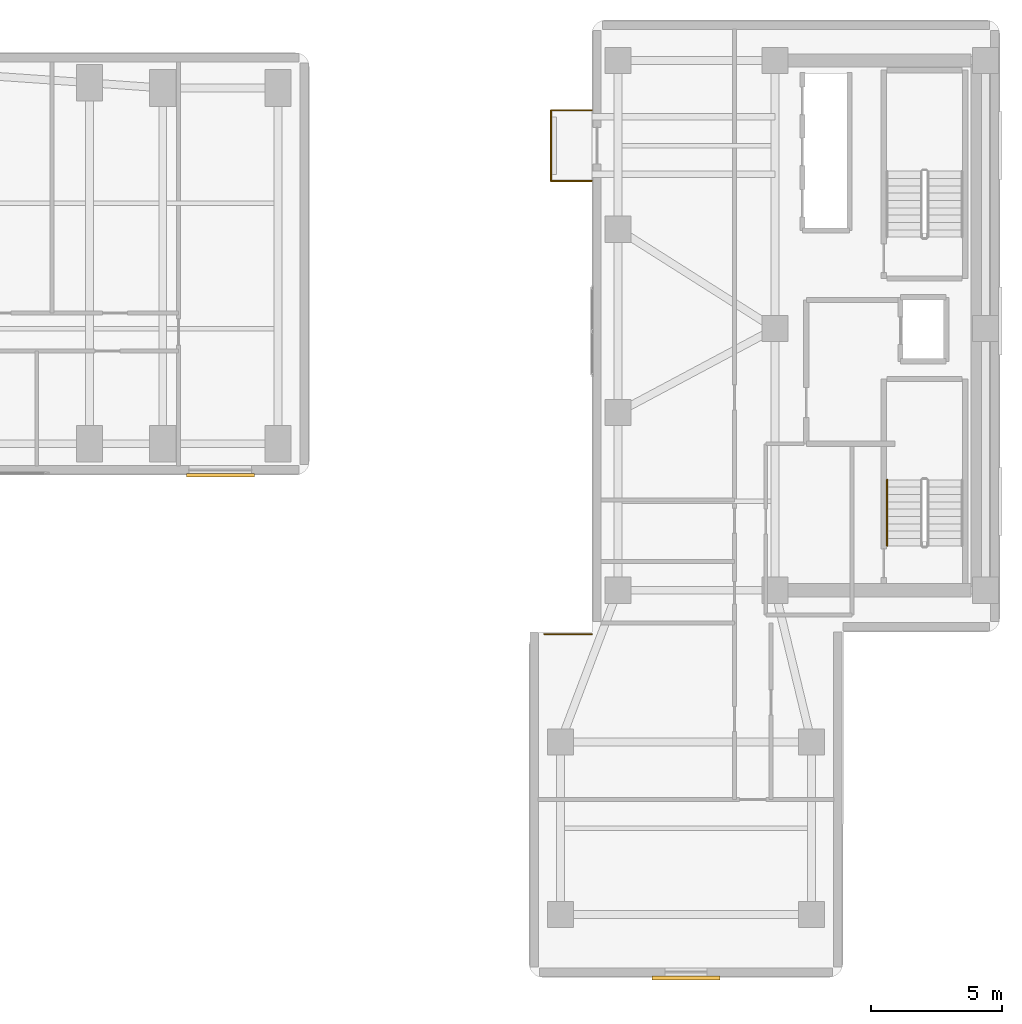
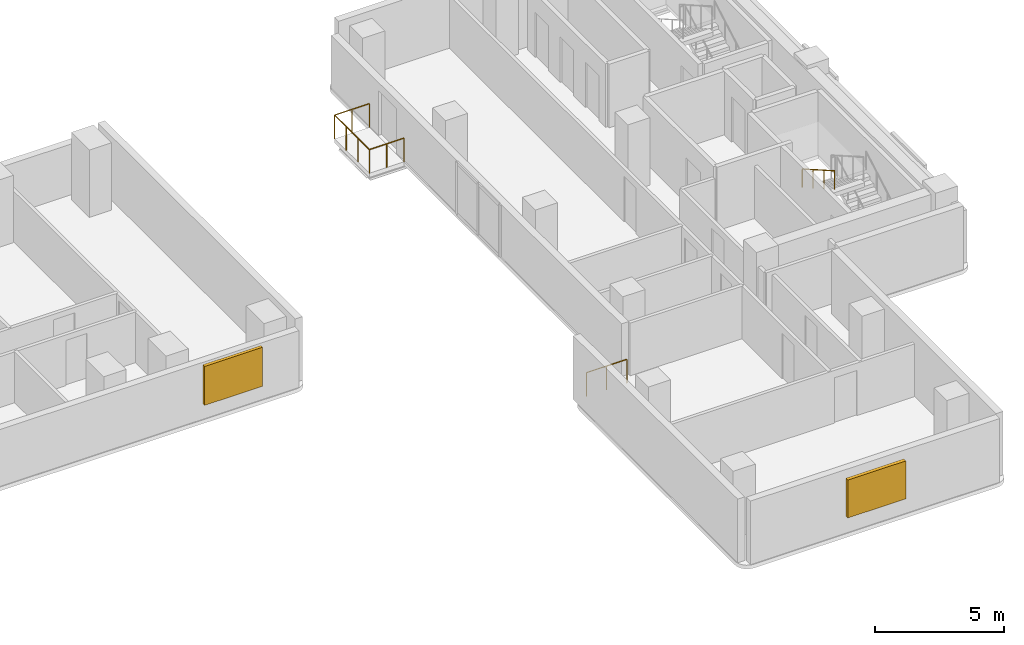
# One storey, part 16 of 17: 5 railings, 2 shading devices.
"""IFC4 building model written with IfcOpenShell, lengths in metres."""

import ifcopenshell
import ifcopenshell.guid

model = None  # the IFC model being written
_history = None  # IfcOwnerHistory: only IFC2X3 demands one
_inside = {}  # id of a spatial element -> (the spatial element, [elements in it])
_under = {}  # id of a project, library or spatial element -> (it, [spatial elements below it])
_declared = {}  # id of a project -> (the project, [libraries it declares])
_typed = {}  # id of a type object -> (the type object, [elements of that type])
_made_of = {}  # id of a material, layer set ... -> (it, [elements and type objects made of it])


def new_model(schema):
    """Start an empty IFC model of exactly this schema.

    Asked for "IFC4X3", IfcOpenShell would pick the latest addendum, in which some entities
    have other attributes; the version numbers below select the first issue.
    IFC2X3 requires an IfcOwnerHistory on every rooted entity: one is made here for all.
    """
    global model, _history
    if schema == "IFC4X3":
        model = ifcopenshell.file(schema_version=(4, 3, 0, 0))
    else:
        model = ifcopenshell.file(schema=schema)
    _inside.clear()
    _under.clear()
    _declared.clear()
    _typed.clear()
    _made_of.clear()
    _history = None
    if model.schema == "IFC2X3":
        org = make("IfcOrganization", Name="unknown")
        user = make(
            "IfcPersonAndOrganization",
            ThePerson=make("IfcPerson", FamilyName="unknown"),
            TheOrganization=org,
        )
        app = make(
            "IfcApplication",
            ApplicationDeveloper=org,
            Version="unknown",
            ApplicationFullName="unknown",
            ApplicationIdentifier="unknown",
        )
        _history = make(
            "IfcOwnerHistory",
            OwningUser=user,
            OwningApplication=app,
            ChangeAction="ADDED",
            CreationDate=0,
        )
    return model


def make(cls, **values):
    """One entity of the class cls with the attributes given. An attribute that is None is left unset."""
    return model.create_entity(
        cls, **{name: value for name, value in values.items() if value is not None}
    )


def rooted(cls, **values):
    """An entity with a GlobalId (a new one), such as an element, a storey or a relation."""
    return make(cls, GlobalId=ifcopenshell.guid.new(), OwnerHistory=_history, **values)


def si_unit(unit_type, name, prefix=None):
    """IfcSIUnit, for example si_unit("LENGTHUNIT", "METRE", prefix="MILLI")."""
    return make("IfcSIUnit", UnitType=unit_type, Prefix=prefix, Name=name)


def assignment(units):
    """IfcUnitAssignment: the units of a project."""
    return None if units is None else make("IfcUnitAssignment", Units=units)


def point(xyz):
    """IfcCartesianPoint."""
    return None if xyz is None else make("IfcCartesianPoint", Coordinates=xyz)


def direction(xyz):
    """IfcDirection."""
    return None if xyz is None else make("IfcDirection", DirectionRatios=xyz)


def frame(location, z_axis=None, x_axis=None):
    """IfcAxis2Placement3D, a coordinate frame: its origin and axes. An axis left out is left unset."""
    return make(
        "IfcAxis2Placement3D",
        Location=point(location),
        Axis=direction(z_axis),
        RefDirection=direction(x_axis),
    )


def frame_2d(location, x_axis=None):
    """IfcAxis2Placement2D, a coordinate frame in the plane: its origin and x axis."""
    return make(
        "IfcAxis2Placement2D", Location=point(location), RefDirection=direction(x_axis)
    )


def origin():
    """The frame at (0, 0, 0) with its axes left unset."""
    return frame((0.0, 0.0, 0.0))


def origin_2d():
    """The frame at (0, 0) in the plane with its x axis left unset."""
    return frame_2d((0.0, 0.0))


def place(relative_to, where):
    """IfcLocalPlacement: puts the frame where relative to a parent placement (None: the world)."""
    return make(
        "IfcLocalPlacement", PlacementRelTo=relative_to, RelativePlacement=where
    )


def context(
    kind, dimensions, precision=None, world=None, true_north=None, identifier=None
):
    """IfcGeometricRepresentationContext, for example the 3D "Model" context."""
    return make(
        "IfcGeometricRepresentationContext",
        ContextIdentifier=identifier,
        ContextType=kind,
        CoordinateSpaceDimension=dimensions,
        Precision=precision,
        WorldCoordinateSystem=world,
        TrueNorth=true_north,
    )


def subcontext(parent, identifier, kind, view, scale=None):
    """IfcGeometricRepresentationSubContext, for example "Body" below "Model"."""
    return make(
        "IfcGeometricRepresentationSubContext",
        ContextIdentifier=identifier,
        ContextType=kind,
        ParentContext=parent,
        TargetScale=scale,
        TargetView=view,
    )


def project(units=None, contexts=None):
    """IfcProject with its units and contexts."""
    return rooted(
        "IfcProject",
        Name="project",
        RepresentationContexts=contexts,
        UnitsInContext=assignment(units),
    )


def spatial(cls, under=None, at=None, **own):
    """A site, building, storey or space (cls), placed at a placement, below another one or the project."""
    s = rooted(cls, ObjectPlacement=at, **own)
    if under is not None:
        _under.setdefault(under.id(), (under, []))[1].append(s)
    return s


def profile(cls, at=None, kind="AREA", **sizes):
    """A parametric profile (cls). Its sizes go by their IFC names, for example OverallWidth=200.0."""
    return make(cls, ProfileType=kind, Position=at, **sizes)


def rectangle(**sizes):
    """IfcRectangleProfileDef."""
    return profile("IfcRectangleProfileDef", **sizes)


def circle(**sizes):
    """IfcCircleProfileDef."""
    return profile("IfcCircleProfileDef", **sizes)


def extrude(swept, where, along, depth):
    """IfcExtrudedAreaSolid: the profile swept, set in the frame where, extruded along a direction by depth."""
    return make(
        "IfcExtrudedAreaSolid",
        SweptArea=swept,
        Position=where,
        ExtrudedDirection=direction(along),
        Depth=depth,
    )


def shape(context_of_items, identifier, shape_type, items):
    """IfcShapeRepresentation: the items that make up one representation, for example the "Body"."""
    return make(
        "IfcShapeRepresentation",
        ContextOfItems=context_of_items,
        RepresentationIdentifier=identifier,
        RepresentationType=shape_type,
        Items=items,
    )


def material(Name=None, Category=None):
    """IfcMaterial."""
    return make("IfcMaterial", Name=Name, Category=Category)


def layer(
    of_material, thickness, ventilated=None, Name=None, Category=None, Priority=None
):
    """IfcMaterialLayer: one layer of a wall or slab, of a material (None: an air gap)."""
    return make(
        "IfcMaterialLayer",
        Material=of_material,
        LayerThickness=thickness,
        IsVentilated=ventilated,
        Name=Name,
        Category=Category,
        Priority=Priority,
    )


def layer_set(layers, Name=None):
    """IfcMaterialLayerSet."""
    return make("IfcMaterialLayerSet", MaterialLayers=layers, LayerSetName=Name)


def made_of(thing, what):
    """Note that an element or type object is made of a material, layer set ...; save() writes the relation."""
    if what is not None:
        _made_of.setdefault(what.id(), (what, []))[1].append(thing)
    return thing


def type_object(cls, material=None, **own):
    """A type object (cls), such as IfcWallType, which elements share."""
    return made_of(rooted(cls, **own), material)


def element(
    cls,
    number,
    at=None,
    inside=None,
    cuts=None,
    type_object=None,
    material=None,
    context=None,
    identifier="Body",
    shape_type=None,
    held_by="IfcProductDefinitionShape",
    body=None,
    shapes=None,
    **own,
):
    """One element of the class cls, such as IfcWall. Its Tag is "e" and its number.

    at: its placement. inside: the storey or other place that contains it. cuts: it is an
    opening in that element (IfcRelVoidsElement). A single representation is given by context,
    identifier, shape_type and body (its items); several are given by shapes. held_by: the class
    of the entity that holds the representations. save() writes the other relations.
    """
    e = rooted(cls, Tag="e%d" % number, ObjectPlacement=at, **own)
    if body is not None:
        shapes = [shape(context, identifier, shape_type, body)]
    if shapes is not None:
        e.Representation = make(held_by, Representations=shapes)
    if inside is not None:
        _inside.setdefault(inside.id(), (inside, []))[1].append(e)
    if cuts is not None:
        rooted(
            "IfcRelVoidsElement", RelatingBuildingElement=cuts, RelatedOpeningElement=e
        )
    if type_object is not None:
        _typed.setdefault(type_object.id(), (type_object, []))[1].append(e)
    return made_of(e, material)


def aggregate(whole, parts):
    """IfcRelAggregates: a whole, such as a stair, and the parts it consists of."""
    return rooted("IfcRelAggregates", RelatingObject=whole, RelatedObjects=parts)


def save(model, path):
    """Write the relations noted so far, then the file.

    IfcRelAggregates (storeys below a building ...), IfcRelContainedInSpatialStructure (elements
    in a storey), IfcRelDefinesByType, IfcRelAssociatesMaterial and IfcRelDeclares: one each for
    every whole, place, type object, material and project.
    """
    for whole, parts in _under.values():
        aggregate(whole, parts)
    for where, things in _inside.values():
        rooted(
            "IfcRelContainedInSpatialStructure",
            RelatedElements=things,
            RelatingStructure=where,
        )
    for kind, things in _typed.values():
        rooted("IfcRelDefinesByType", RelatedObjects=things, RelatingType=kind)
    for what, things in _made_of.values():
        rooted("IfcRelAssociatesMaterial", RelatedObjects=things, RelatingMaterial=what)
    for by, libraries in _declared.values():
        rooted("IfcRelDeclares", RelatingContext=by, RelatedDefinitions=libraries)
    model.write(path)


model = new_model("IFC4")

# Units and contexts
model_context = context("Model", 3, precision=1e-05, world=origin(), true_north=direction((0.0, 1.0)))
body_context = subcontext(model_context, "Body", "Model", "MODEL_VIEW")
ifc_project = project(units=[si_unit("LENGTHUNIT", "METRE"), si_unit("AREAUNIT", "SQUARE_METRE"), si_unit("VOLUMEUNIT", "CUBIC_METRE"), si_unit("PLANEANGLEUNIT", "RADIAN"), si_unit("MASSUNIT", "GRAM", prefix="KILO")], contexts=[model_context])

# Site, building, storey
site_placement = place(None, origin())
site = spatial("IfcSite", under=ifc_project, at=site_placement, CompositionType="ELEMENT")
building_placement = place(site_placement, origin())
building = spatial("IfcBuilding", under=site, at=building_placement, Name="Kuzgunbayir Cultural Tower", CompositionType="ELEMENT")
storey_placement = place(building_placement, frame((0.0, 0.0, 43.60009765625)))
storey = spatial("IfcBuildingStorey", under=building, at=storey_placement, Name="L11", CompositionType="ELEMENT", Elevation=43.60009765625)

# Railings
ifc_material_1 = material(Name="Laminated Glass and Stainless Steel", Category="steel")
ifc_layer_1 = layer(ifc_material_1, 0.080078125)
ifc_layer_set_1 = layer_set([ifc_layer_1], Name="Laminated Glass and Stainless Steel")
railing_type_1 = type_object("IfcRailingType", Name="RLG-BAL-115", PredefinedType="BALUSTRADE", material=ifc_layer_set_1)
railing_1_placement = place(storey_placement, frame((57.60009765625, 37.64990234375, 0.0)))
element("IfcRailing", 1, at=railing_1_placement, inside=storey, type_object=railing_type_1, Name="L11 Companion Balcony Guard BAL-L11-T2W3 Segment 1", PredefinedType="BALUSTRADE", context=body_context, shape_type="SweptSolid", body=[
    extrude(circle(Radius=0.02392578125, at=origin_2d()), frame((0.0, 0.0, 1.1259765625), z_axis=(-1.0, 0.0, 0.0), x_axis=(0.0, -1.0, 0.0)), (0.0, 0.0, 1.0), 1.56005859375),
    extrude(circle(Radius=0.02099609375, at=origin_2d()), origin(), (0.0, 0.0, 1.0), 1.101806640625),
    extrude(circle(Radius=0.02099609375, at=origin_2d()), frame((-0.780029296875, 0.0, 0.0)), (0.0, 0.0, 1.0), 1.101806640625),
    extrude(circle(Radius=0.02099609375, at=origin_2d()), frame((-1.56005859375, 0.0, 0.0)), (0.0, 0.0, 1.0), 1.101806640625),
])
railing_2_placement = place(storey_placement, frame((56.0400390625, 37.64990234375, 0.0)))
element("IfcRailing", 2, at=railing_2_placement, inside=storey, type_object=railing_type_1, Name="L11 Companion Balcony Guard BAL-L11-T2W3 Segment 2", PredefinedType="BALUSTRADE", context=body_context, shape_type="SweptSolid", body=[
    extrude(circle(Radius=0.02392578125, at=origin_2d()), frame((0.0, 0.0, 1.1259765625), z_axis=(0.0, 1.0, 0.0), x_axis=(-1.0, 0.0, 0.0)), (0.0, 0.0, 1.0), 2.7001953125),
    extrude(circle(Radius=0.02099609375, at=origin_2d()), origin(), (0.0, 0.0, 1.0), 1.101806640625),
    extrude(circle(Radius=0.02099609375, at=origin_2d()), frame((0.0, 0.900146484375, 0.0)), (0.0, 0.0, 1.0), 1.101806640625),
    extrude(circle(Radius=0.02099609375, at=origin_2d()), frame((0.0, 1.800048828125, 0.0)), (0.0, 0.0, 1.0), 1.101806640625),
    extrude(circle(Radius=0.02099609375, at=origin_2d()), frame((0.0, 2.7001953125, 0.0)), (0.0, 0.0, 1.0), 1.101806640625),
])
railing_3_placement = place(storey_placement, frame((56.0400390625, 40.35009765625, 0.0)))
element("IfcRailing", 3, at=railing_3_placement, inside=storey, type_object=railing_type_1, Name="L11 Companion Balcony Guard BAL-L11-T2W3 Segment 3", PredefinedType="BALUSTRADE", context=body_context, shape_type="SweptSolid", body=[
    extrude(circle(Radius=0.02392578125, at=origin_2d()), frame((0.0, 0.0, 1.1259765625), z_axis=(1.0, 0.0, 0.0), x_axis=(0.0, 1.0, 0.0)), (0.0, 0.0, 1.0), 1.56005859375),
    extrude(circle(Radius=0.02099609375, at=origin_2d()), origin(), (0.0, 0.0, 1.0), 1.101806640625),
    extrude(circle(Radius=0.02099609375, at=origin_2d()), frame((0.780029296875, 0.0, 0.0)), (0.0, 0.0, 1.0), 1.101806640625),
    extrude(circle(Radius=0.02099609375, at=origin_2d()), frame((1.56005859375, 0.0, 0.0)), (0.0, 0.0, 1.0), 1.101806640625),
])
railing_4_placement = place(storey_placement, frame((55.7900390625, 20.320068359375, 0.0)))
element("IfcRailing", 4, at=railing_4_placement, inside=storey, type_object=railing_type_1, Name="L11 Perimeter Edge Guard 1", PredefinedType="BALUSTRADE", context=body_context, shape_type="SweptSolid", body=[
    extrude(circle(Radius=0.02392578125, at=origin_2d()), frame((0.0, 0.0, 1.1259765625), z_axis=(1.0, 0.0, 0.0), x_axis=(0.0, 1.0, 0.0)), (0.0, 0.0, 1.0), 1.81005859375),
    extrude(circle(Radius=0.02099609375, at=origin_2d()), origin(), (0.0, 0.0, 1.0), 1.101806640625),
    extrude(circle(Radius=0.02099609375, at=origin_2d()), frame((0.905029296875, 0.0, 0.0)), (0.0, 0.0, 1.0), 1.101806640625),
    extrude(circle(Radius=0.02099609375, at=origin_2d()), frame((1.81005859375, 0.0, 0.0)), (0.0, 0.0, 1.0), 1.101806640625),
])
ifc_material_2 = material(Name="Brushed Stainless Steel", Category="steel")
ifc_layer_2 = layer(ifc_material_2, 0.050048828125)
ifc_layer_set_2 = layer_set([ifc_layer_2], Name="Brushed Stainless Steel")
railing_type_2 = type_object("IfcRailingType", Name="RLG-STAIR-HANDRAIL", PredefinedType="HANDRAIL", material=ifc_layer_set_2)
railing_5_placement = place(storey_placement, frame((68.889892578125, 26.219970703125, 1.760009765625)))
element("IfcRailing", 5, at=railing_5_placement, inside=storey, type_object=railing_type_2, Name="L11 ST-3 stair handrail 2", PredefinedType="HANDRAIL", context=body_context, shape_type="SweptSolid", body=[
    extrude(circle(Radius=0.02392578125, at=origin_2d()), frame((0.0, 0.0, 0.8759765625), z_axis=(0.0, -0.868253494771, 0.496120820787), x_axis=(1.0, 0.0, 0.0)), (0.0, 0.0, 1.0), 2.90234375),
    extrude(circle(Radius=0.02099609375, at=origin_2d()), origin(), (0.0, 0.0, 1.0), 0.851806640625),
    extrude(circle(Radius=0.02099609375, at=origin_2d()), frame((0.0, -0.840087890625, 0.47998046875)), (0.0, 0.0, 1.0), 0.851806640625),
    extrude(circle(Radius=0.02099609375, at=origin_2d()), frame((0.0, -1.679931640625, 0.9599609375)), (0.0, 0.0, 1.0), 0.851806640625),
    extrude(circle(Radius=0.02099609375, at=origin_2d()), frame((0.0, -2.52001953125, 1.43994140625)), (0.0, 0.0, 1.0), 0.851806640625),
])

# Shading devices
ifc_material_3 = material(Name="Perforated Bronze-Anodised Aluminium", Category="aluminium")
shading_device_type_1 = type_object("IfcShadingDeviceType", Name="SHD-SOLAR-BRONZE", PredefinedType="JALOUSIE", material=ifc_material_3)
shading_device_1_placement = place(storey_placement, frame((43.39990234375, 26.389892578125, 0.724853515625), z_axis=(0.0, 0.0, 1.0), x_axis=(1.0, 0.0, 0.0)))
element("IfcShadingDevice", 6, at=shading_device_1_placement, inside=storey, type_object=shading_device_type_1, Name="L11 Solar Screen WBS8", PredefinedType="JALOUSIE", context=body_context, shape_type="SweptSolid", body=[
    extrude(rectangle(XDim=2.60009765625, YDim=0.139892578125, at=origin_2d()), origin(), (0.0, 0.0, 1.0), 1.85009765625),
])
ifc_material_4 = material(Name="Warm Terracotta Ceramic Baguette", Category="masonry")
shading_device_type_2 = type_object("IfcShadingDeviceType", Name="SHD-SOLAR-CERAMIC", PredefinedType="SHUTTER", material=ifc_material_4)
shading_device_2_placement = place(storey_placement, frame((61.199951171875, 7.179931640625, 0.7998046875), z_axis=(0.0, 0.0, 1.0), x_axis=(1.0, 0.0, 0.0)))
element("IfcShadingDevice", 7, at=shading_device_2_placement, inside=storey, type_object=shading_device_type_2, Name="L11 Companion Ceramic Solar Screen S1", PredefinedType="SHUTTER", context=body_context, shape_type="SweptSolid", body=[
    extrude(rectangle(XDim=2.60009765625, YDim=0.159912109375, at=origin_2d()), origin(), (0.0, 0.0, 1.0), 1.800048828125),
])

save(model, "model.ifc")
